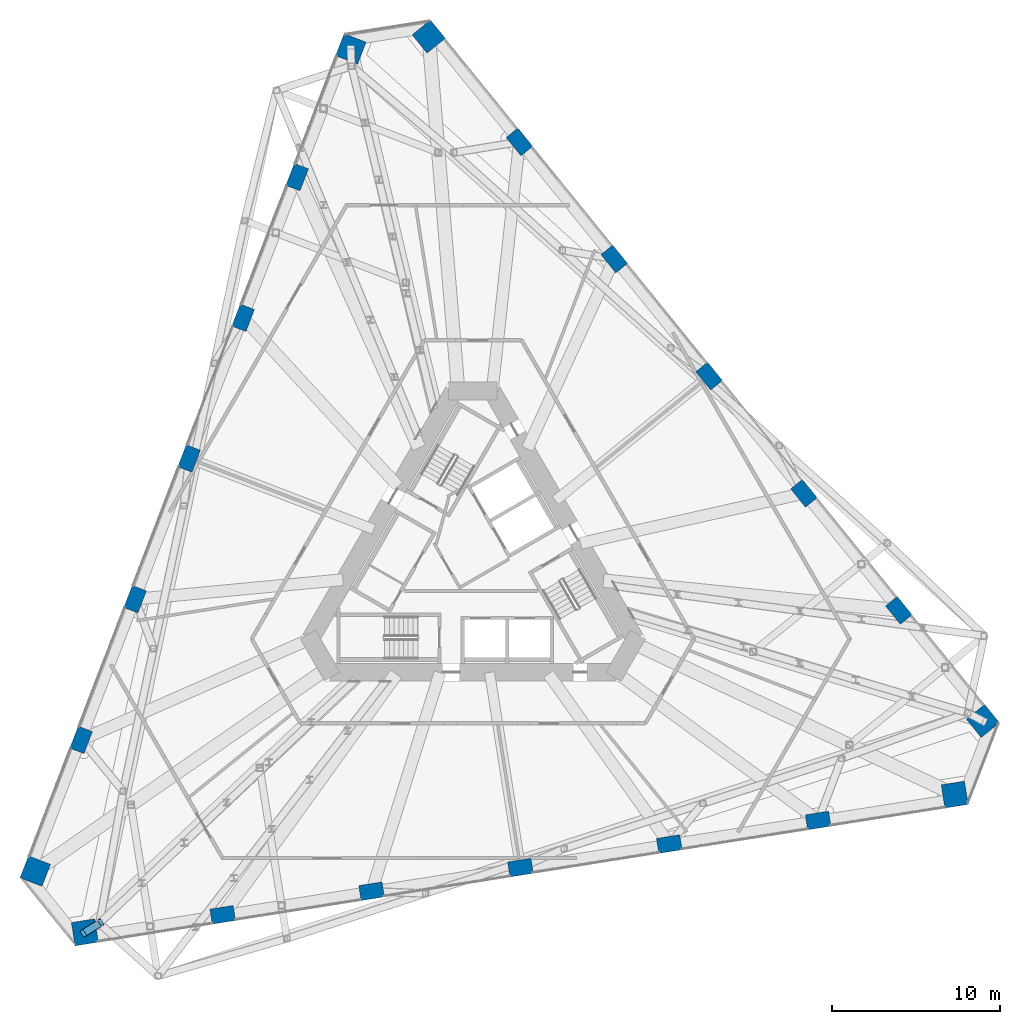
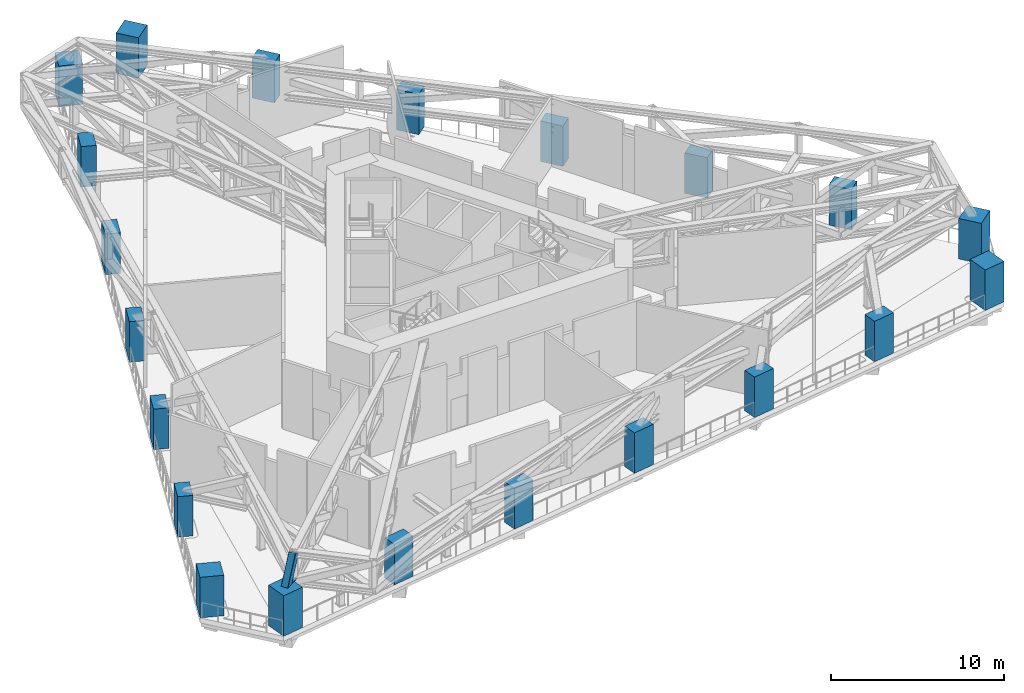
# One storey, part 1 of 20: 21 columns, 2 members.
"""IFC4 building model written with IfcOpenShell, lengths in metres."""

from ifc_helpers import new_model, si_unit, direction, frame, origin, origin_2d, place, context, subcontext, project, spatial, rectangle, hollow_rectangle, i_section, extrude, material, material_profile, profile_set, type_object, element, save


model = new_model("IFC4")

# Units and contexts
model_context = context("Model", 3, precision=1e-05, world=origin(), true_north=direction((0.0, 1.0)))
body_context = subcontext(model_context, "Body", "Model", "MODEL_VIEW")
ifc_project = project(units=[si_unit("LENGTHUNIT", "METRE"), si_unit("AREAUNIT", "SQUARE_METRE"), si_unit("VOLUMEUNIT", "CUBIC_METRE"), si_unit("PLANEANGLEUNIT", "RADIAN"), si_unit("MASSUNIT", "GRAM", prefix="KILO")], contexts=[model_context])

# Site, building, storey
site_placement = place(None, origin())
site = spatial("IfcSite", under=ifc_project, at=site_placement, CompositionType="ELEMENT")
building_placement = place(site_placement, origin())
building = spatial("IfcBuilding", under=site, at=building_placement, Name="Tramontana Tower", CompositionType="ELEMENT")
storey_placement = place(building_placement, frame((0.0, 0.0, 83.199951171875)))
storey = spatial("IfcBuildingStorey", under=building, at=storey_placement, Name="L18", CompositionType="ELEMENT", Elevation=83.199951171875)

# Columns
ifc_material_1 = material(Name="Concrete 70 MPa", Category="concrete")
ifc_material_profile_1 = material_profile(ifc_material_1, rectangle(XDim=1.39990234375, YDim=1.39990234375, at=origin_2d()), Name="Mega column 1400X1400 70 MPa")
ifc_profile_set_1 = profile_set([ifc_material_profile_1], Name="Concrete 70 MPa")
column_type_1 = type_object("IfcColumnType", Name="Mega column 1400X1400 70 MPa", PredefinedType="COLUMN", material=ifc_profile_set_1)
for number, where, z_axis, x_axis, name in (
    (1, (-7.24755859375, 30.7890625, 0.0), (0.0, 0.0, 1.0), (-0.358367949545, -0.933580426497, 0.0), "Mega column C1K1 L18"),
    (2, (-25.98779296875, -18.03125, 0.0), (0.0, 0.0, 1.0), (-0.358367949545, -0.933580426497, 0.0), "Mega column C1K2 L18"),
    (3, (-23.040283203125, -21.671142578125, 0.0), (0.0, 0.0, 1.0), (0.987688340595, 0.15643446504, 0.0), "Mega column C1K3 L18"),
    (4, (28.609375, -13.490478515625, 0.0), (0.0, 0.0, 1.0), (0.987688340595, 0.15643446504, 0.0), "Mega column C1K4 L18"),
    (5, (30.287841796875, -9.117919921875, 0.0), (0.0, 0.0, 1.0), (-0.62932039105, 0.777145961457, 0.0), "Mega column C1K5 L18"),
    (6, (-2.62158203125, 31.521728515625, 0.0), (0.0, 0.0, 1.0), (-0.62932039105, 0.777145961457, 0.0), "Mega column C1K6 L18"),
):
    element("IfcColumn", number, at=place(storey_placement, frame(where, z_axis=z_axis, x_axis=x_axis)), inside=storey, type_object=column_type_1, Name=name, PredefinedType="COLUMN", context=body_context, shape_type="SweptSolid", body=[
        extrude(rectangle(XDim=1.39990234375, YDim=1.39990234375, at=origin_2d()), origin(), (0.0, 0.0, 1.0), 2.863525390625),
    ])
ifc_material_2 = material(Name="Concrete 55 MPa", Category="concrete")
ifc_material_profile_2 = material_profile(ifc_material_2, rectangle(XDim=1.39990234375, YDim=0.89990234375, at=origin_2d()), Name="Pier column 1400X900 55 MPa")
ifc_profile_set_2 = profile_set([ifc_material_profile_2], Name="Concrete 55 MPa")
column_type_2 = type_object("IfcColumnType", Name="Pier column 1400X900 55 MPa", PredefinedType="COLUMN", material=ifc_profile_set_2)
for number, where, z_axis, x_axis, name in (
    (7, (-10.43701171875, 23.177734375, 0.0), (0.0, 0.0, 1.0), (-0.358367949545, -0.933580426497, 0.0), "Pier column C1F01 L18"),
    (8, (-13.64404296875, 14.822998046875, 0.0), (0.0, 0.0, 1.0), (-0.358367949545, -0.933580426497, 0.0), "Pier column C1F02 L18"),
    (9, (-16.85107421875, 6.468505859375, 0.0), (0.0, 0.0, 1.0), (-0.358367949545, -0.933580426497, 0.0), "Pier column C1F03 L18"),
    (10, (-20.05810546875, -1.885986328125, 0.0), (0.0, 0.0, 1.0), (-0.358367949545, -0.933580426497, 0.0), "Pier column C1F04 L18"),
    (11, (-23.26513671875, -10.240478515625, 0.0), (0.0, 0.0, 1.0), (-0.358367949545, -0.933580426497, 0.0), "Pier column C1F05 L18"),
    (12, (-14.853759765625, -20.627685546875, 0.0), (0.0, 0.0, 1.0), (0.987688340595, 0.15643446504, 0.0), "Pier column C1F06 L18"),
    (13, (-6.01513671875, -19.227783203125, 0.0), (0.0, 0.0, 1.0), (0.987688340595, 0.15643446504, 0.0), "Pier column C1F07 L18"),
    (14, (2.82373046875, -17.827880859375, 0.0), (0.0, 0.0, 1.0), (0.987688340595, 0.15643446504, 0.0), "Pier column C1F08 L18"),
    (15, (11.662353515625, -16.427734375, 0.0), (0.0, 0.0, 1.0), (0.987688340595, 0.15643446504, 0.0), "Pier column C1F09 L18"),
    (16, (20.501220703125, -15.02783203125, 0.0), (0.0, 0.0, 1.0), (0.987688340595, 0.15643446504, 0.0), "Pier column C1F10 L18"),
    (17, (25.291015625, -2.550048828125, 0.0), (0.0, 0.0, 1.0), (-0.62932039105, 0.777145961457, 0.0), "Pier column C1F11 L18"),
    (18, (19.6591796875, 4.404541015625, 0.0), (0.0, 0.0, 1.0), (-0.62932039105, 0.777145961457, 0.0), "Pier column C1F12 L18"),
    (19, (14.027587890625, 11.359130859375, 0.0), (0.0, 0.0, 1.0), (-0.62932039105, 0.777145961457, 0.0), "Pier column C1F13 L18"),
    (20, (8.395751953125, 18.31396484375, 0.0), (0.0, 0.0, 1.0), (-0.62932039105, 0.777145961457, 0.0), "Pier column C1F14 L18"),
    (21, (2.763916015625, 25.2685546875, 0.0), (0.0, 0.0, 1.0), (-0.62932039105, 0.777145961457, 0.0), "Pier column C1F15 L18"),
):
    element("IfcColumn", number, at=place(storey_placement, frame(where, z_axis=z_axis, x_axis=x_axis)), inside=storey, type_object=column_type_2, Name=name, PredefinedType="COLUMN", context=body_context, shape_type="SweptSolid", body=[
        extrude(rectangle(XDim=1.39990234375, YDim=0.89990234375, at=origin_2d()), origin(), (0.0, 0.0, 1.0), 2.863525390625),
    ])

# Members
ifc_material_3 = material(Name="Steel ASTM A500 Grade C", Category="steel")
ifc_material_profile_3 = material_profile(ifc_material_3, hollow_rectangle(XDim=0.457275390625, YDim=0.457275390625, WallThickness=0.017822265625, InnerFilletRadius=0.017822265625, OuterFilletRadius=0.035400390625, at=origin_2d()), Name="HSS18X18X3/4")
ifc_profile_set_3 = profile_set([ifc_material_profile_3], Name="Steel ASTM A500 Grade C")
member_type_1 = type_object("IfcMemberType", Name="Transfer truss HSS18X18X3/4 brace", PredefinedType="BRACE", material=ifc_profile_set_3)
member_1_placement = place(storey_placement, frame((-23.040283203125, -21.671142578125, 2.6318359375), z_axis=(0.386390615731, 0.24187702474, 0.890054940427), x_axis=(-0.530602808169, 0.84762058727, 0.0)))
element("IfcMember", 22, at=member_1_placement, inside=storey, type_object=member_type_1, Name="Transfer truss strut C2K2 diagonal", PredefinedType="BRACE", context=body_context, shape_type="SweptSolid", body=[
    extrude(hollow_rectangle(XDim=0.457275390625, YDim=0.457275390625, WallThickness=0.017822265625, InnerFilletRadius=0.017822265625, OuterFilletRadius=0.035400390625, at=origin_2d()), origin(), (0.0, 0.0, 1.0), 2.231689453125),
])
ifc_material_4 = material(Name="Steel ASTM A992 Grade 50", Category="steel")
ifc_material_profile_4 = material_profile(ifc_material_4, i_section(OverallWidth=0.42236328125, OverallDepth=0.463623046875, WebThickness=0.04443359375, FlangeThickness=0.072998046875, FilletRadius=0.014892578125, at=origin_2d()), Name="W14X398")
ifc_profile_set_4 = profile_set([ifc_material_profile_4], Name="Steel ASTM A992 Grade 50")
member_type_2 = type_object("IfcMemberType", Name="Transfer truss W14X398 strut", PredefinedType="STRUT", material=ifc_profile_set_4)
member_2_placement = place(storey_placement, frame((-23.040283203125, -21.671142578125, 2.6318359375), z_axis=(0.84762058727, 0.530602808169, 0.0), x_axis=(-0.530602808169, 0.84762058727, 0.0)))
element("IfcMember", 23, at=member_2_placement, inside=storey, type_object=member_type_2, Name="Transfer truss strut C2K2 bottom", PredefinedType="STRUT", context=body_context, shape_type="SweptSolid", body=[
    extrude(i_section(OverallWidth=0.42236328125, OverallDepth=0.463623046875, WebThickness=0.04443359375, FlangeThickness=0.072998046875, FilletRadius=0.014892578125, at=origin_2d()), origin(), (0.0, 0.0, 1.0), 1.017333984375),
])

save(model, "model.ifc")
